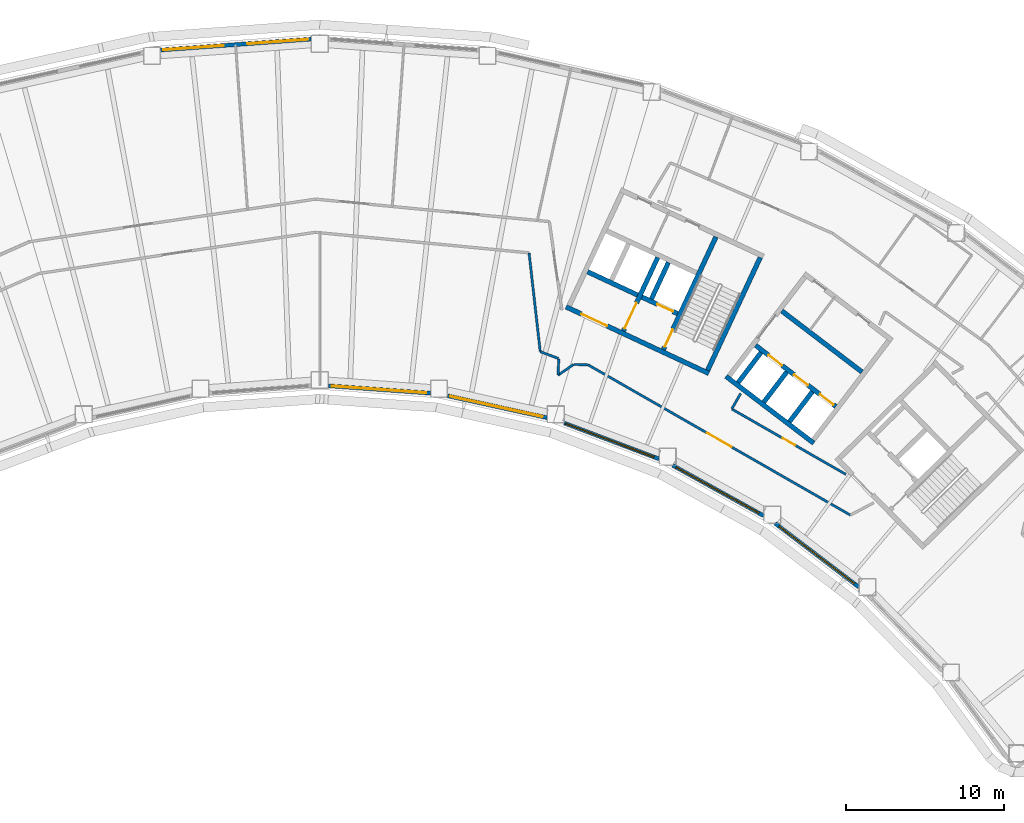
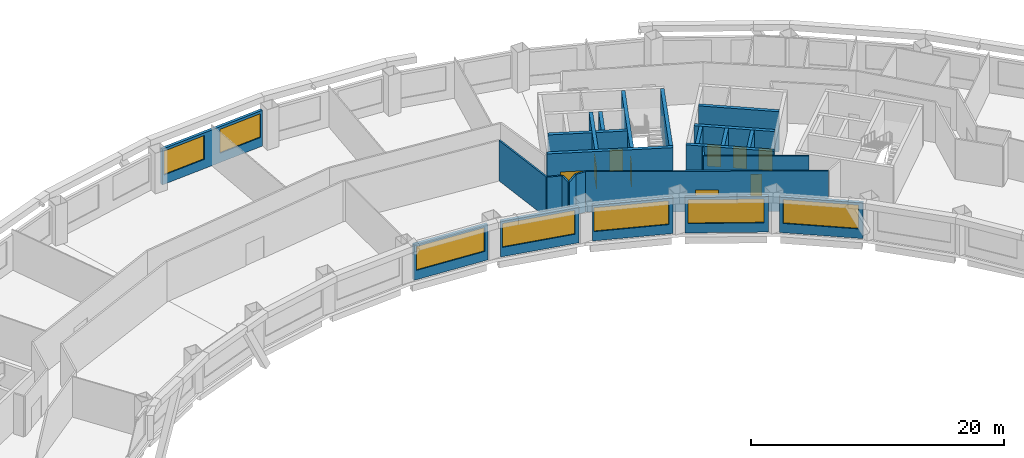
# One storey, part 5 of 13: 27 walls, 9 doors, 7 windows, 16 openings.
"""IFC4 building model written with IfcOpenShell, lengths in metres."""

from ifc_helpers import new_model, si_unit, direction, frame, frame_2d, origin, place, context, subcontext, project, spatial, rectangle, extrude, material, layer, layer_set, type_object, element, fill, save


model = new_model("IFC4")

# Units and contexts
model_context = context("Model", 3, precision=1e-05, world=origin(), true_north=direction((0.0, 1.0)))
body_context = subcontext(model_context, "Body", "Model", "MODEL_VIEW")
ifc_project = project(units=[si_unit("LENGTHUNIT", "METRE"), si_unit("AREAUNIT", "SQUARE_METRE"), si_unit("VOLUMEUNIT", "CUBIC_METRE"), si_unit("PLANEANGLEUNIT", "RADIAN"), si_unit("MASSUNIT", "GRAM", prefix="KILO")], contexts=[model_context])

# Site, building, storey
site_placement = place(None, origin())
site = spatial("IfcSite", under=ifc_project, at=site_placement, CompositionType="ELEMENT")
building_placement = place(site_placement, origin())
building = spatial("IfcBuilding", under=site, at=building_placement, Name="Tuul Gate Civic Tower", CompositionType="ELEMENT")
storey_placement = place(building_placement, frame((0.0, 0.0, 111.89990234375)))
storey = spatial("IfcBuildingStorey", under=building, at=storey_placement, Name="Level 25", CompositionType="ELEMENT", Elevation=111.89990234375)

# Wall, opening, door
ifc_material_1 = material(Name="Concrete C50/60", Category="concrete")
ifc_layer_1 = layer(ifc_material_1, 0.300048828125)
ifc_layer_set_1 = layer_set([ifc_layer_1], Name="Concrete C50/60")
wall_type_1 = type_object("IfcWallType", Name="Core wall C50/60", PredefinedType="SHEAR", material=ifc_layer_set_1)
wall_1_placement = place(storey_placement, frame((34.5283203125, -7.25, 0.0), z_axis=(0.0, 0.0, 1.0), x_axis=(-0.906310338845, 0.422612789327, 0.0)))
wall_1 = element("IfcWall", 1, at=wall_1_placement, inside=storey, type_object=wall_type_1, Name="Core wall", PredefinedType="SHEAR", context=body_context, shape_type="SweptSolid", body=[
    extrude(rectangle(XDim=9.999755859375, YDim=0.300048828125, at=frame_2d((5.0, 0.0))), origin(), (0.0, 0.0, 1.0), 3.900146484375),
])
opening_1_placement = place(wall_1_placement, frame((7.125, 0.0, 0.0)))
opening_1 = element("IfcOpeningElement", 2, at=opening_1_placement, cuts=wall_1, Name="Opening LB-E3-LOBBY-1", PredefinedType="OPENING", context=body_context, shape_type="SweptSolid", body=[
    extrude(rectangle(XDim=1.800048828125, YDim=2.10009765625, at=frame_2d((0.89990234375, 1.050048828125))), frame((0.0, 0.16015625, 0.0), z_axis=(0.0, -1.0, 0.0), x_axis=(1.0, 0.0, 0.0)), (0.0, 0.0, 1.0), 0.320068359375),
])
ifc_material_2 = material(Name="Steel", Category="steel")
door_type_1 = type_object("IfcDoorType", Name="Lobby door", OperationType="DOUBLE_DOOR_SINGLE_SWING", PredefinedType="DOOR", material=ifc_material_2)
door_1_placement = place(opening_1_placement, frame((1.800048828125, 0.0, 0.0), z_axis=(0.0, 0.0, 1.0), x_axis=(-1.0, 0.0, 0.0)))
door_1 = element("IfcDoor", 3, at=door_1_placement, inside=storey, type_object=door_type_1, Name="Lobby door E3-LOBBY", OperationType="DOUBLE_DOOR_SINGLE_SWING", OverallHeight=2.10009765625, OverallWidth=1.800048828125, PredefinedType="DOOR", context=body_context, shape_type="SweptSolid", body=[
    extrude(rectangle(XDim=1.800048828125, YDim=2.10009765625, at=frame_2d((0.900146484375, 1.050048828125))), frame((0.0, 0.02490234375, 0.0), z_axis=(0.0, -1.0, 0.0), x_axis=(1.0, 0.0, 0.0)), (0.0, 0.0, 1.0), 0.050048828125),
])
fill(opening_1, door_1)

wall_2_placement = place(storey_placement, frame((32.545654296875, -3.456787109375, 0.0), z_axis=(0.0, 0.0, 1.0), x_axis=(-0.906300357825, 0.42263419337, 0.0)))
wall_2 = element("IfcWall", 4, at=wall_2_placement, inside=storey, type_object=wall_type_1, Name="Core wall", PredefinedType="SHEAR", context=body_context, shape_type="SweptSolid", body=[
    extrude(rectangle(XDim=2.500244140625, YDim=0.300048828125, at=frame_2d((1.25, 0.0))), origin(), (0.0, 0.0, 1.0), 3.900146484375),
])
opening_2_placement = place(wall_2_placement, frame((0.324951171875, 0.0, 0.0)))
opening_2 = element("IfcOpeningElement", 5, at=opening_2_placement, cuts=wall_2, Name="Opening LD-FF-2", PredefinedType="OPENING", context=body_context, shape_type="SweptSolid", body=[
    extrude(rectangle(XDim=1.10009765625, YDim=2.10009765625, at=frame_2d((0.550048828125, 1.050048828125))), frame((0.0, 0.16015625, 0.0), z_axis=(0.0, -1.0, 0.0), x_axis=(1.0, 0.0, 0.0)), (0.0, 0.0, 1.0), 0.320068359375),
])
ifc_material_3 = material(Name="Stainless steel", Category="steel")
door_type_2 = type_object("IfcDoorType", Name="Landing door", OperationType="DOUBLE_DOOR_SLIDING", PredefinedType="DOOR", material=ifc_material_3)
door_2_placement = place(opening_2_placement, origin())
door_2 = element("IfcDoor", 6, at=door_2_placement, inside=storey, type_object=door_type_2, Name="Fire-fighting lift FF-2 landing door", OperationType="DOUBLE_DOOR_SLIDING", OverallHeight=2.10009765625, OverallWidth=1.10009765625, PredefinedType="DOOR", context=body_context, shape_type="SweptSolid", body=[
    extrude(rectangle(XDim=1.10009765625, YDim=2.10009765625, at=frame_2d((0.550048828125, 1.050048828125))), frame((0.0, 0.02490234375, 0.0), z_axis=(0.0, -1.0, 0.0), x_axis=(1.0, 0.0, 0.0)), (0.0, 0.0, 1.0), 0.050048828125),
])
fill(opening_2, door_2)

# Walls
wall_3_placement = place(storey_placement, frame((30.0078125, -2.2734375, 0.0), z_axis=(0.0, 0.0, 1.0), x_axis=(-0.90630071767, 0.422633421716, 0.0)))
element("IfcWall", 7, at=wall_3_placement, inside=storey, type_object=wall_type_1, Name="Core wall", PredefinedType="SHEAR", context=body_context, shape_type="SweptSolid", body=[
    extrude(rectangle(XDim=3.5, YDim=0.300048828125, at=frame_2d((1.75, 0.0))), origin(), (0.0, 0.0, 1.0), 3.900146484375),
])
wall_4_placement = place(storey_placement, frame((34.455810546875, -7.05078125, 0.0), z_axis=(0.0, 0.0, 1.0), x_axis=(0.422570768258, 0.906329932096, 0.0)))
element("IfcWall", 8, at=wall_4_placement, inside=storey, type_object=wall_type_1, Name="Core wall", PredefinedType="SHEAR", context=body_context, shape_type="SweptSolid", body=[
    extrude(rectangle(XDim=7.900146484375, YDim=0.300048828125, at=frame_2d((3.9501953125, 0.0))), origin(), (0.0, 0.0, 1.0), 3.900146484375),
])

# Wall, opening, door
wall_5_placement = place(storey_placement, frame((31.646240234375, -5.740478515625, 0.0), z_axis=(0.0, 0.0, 1.0), x_axis=(0.422582604137, 0.906324413596, 0.0)))
wall_5 = element("IfcWall", 9, at=wall_5_placement, inside=storey, type_object=wall_type_1, Name="Core wall", PredefinedType="SHEAR", context=body_context, shape_type="SweptSolid", body=[
    extrude(rectangle(XDim=7.89990234375, YDim=0.300048828125, at=frame_2d((3.949951171875, 0.0))), origin(), (0.0, 0.0, 1.0), 3.900146484375),
])
opening_3_placement = place(wall_5_placement, frame((0.199951171875, 0.0, 0.0)))
opening_3 = element("IfcOpeningElement", 10, at=opening_3_placement, cuts=wall_5, Name="Opening SD-ST-4", PredefinedType="OPENING", context=body_context, shape_type="SweptSolid", body=[
    extrude(rectangle(XDim=1.199951171875, YDim=2.10009765625, at=frame_2d((0.60009765625, 1.050048828125))), frame((0.0, 0.16015625, 0.0), z_axis=(0.0, -1.0, 0.0), x_axis=(1.0, 0.0, 0.0)), (0.0, 0.0, 1.0), 0.320068359375),
])
ifc_material_4 = material(Name="Steel", Category="steel")
door_type_3 = type_object("IfcDoorType", Name="Stair door", OperationType="NOTDEFINED", PredefinedType="DOOR", material=ifc_material_4)
door_3_placement = place(opening_3_placement, origin())
door_3 = element("IfcDoor", 11, at=door_3_placement, inside=storey, type_object=door_type_3, Name="Stair door ST-4", OperationType="SINGLE_SWING_LEFT", OverallHeight=2.10009765625, OverallWidth=1.199951171875, PredefinedType="DOOR", context=body_context, shape_type="SweptSolid", body=[
    extrude(rectangle(XDim=1.199951171875, YDim=2.10009765625, at=frame_2d((0.60009765625, 1.050048828125))), frame((0.0, 0.02490234375, 0.0), z_axis=(0.0, -1.0, 0.0), x_axis=(1.0, 0.0, 0.0)), (0.0, 0.0, 1.0), 0.050048828125),
])
fill(opening_3, door_3)

# Wall
wall_6_placement = place(storey_placement, frame((30.886962890625, -2.517822265625, 0.0), z_axis=(0.0, 0.0, 1.0), x_axis=(0.422612891016, 0.906310291427, 0.0)))
element("IfcWall", 12, at=wall_6_placement, inside=storey, type_object=wall_type_1, Name="Core wall", PredefinedType="SHEAR", context=body_context, shape_type="SweptSolid", body=[
    extrude(rectangle(XDim=2.550048828125, YDim=0.300048828125, at=frame_2d((1.27490234375, 0.0))), origin(), (0.0, 0.0, 1.0), 3.900146484375),
])

# Wall, opening, door
wall_7_placement = place(storey_placement, frame((29.108642578125, -4.557373046875, 0.0), z_axis=(0.0, 0.0, 1.0), x_axis=(0.422566235356, 0.90633204552, 0.0)))
wall_7 = element("IfcWall", 13, at=wall_7_placement, inside=storey, type_object=wall_type_1, Name="Core wall", PredefinedType="SHEAR", context=body_context, shape_type="SweptSolid", body=[
    extrude(rectangle(XDim=5.150146484375, YDim=0.300048828125, at=frame_2d((2.5751953125, 0.0))), origin(), (0.0, 0.0, 1.0), 3.900146484375),
])
opening_4_placement = place(wall_7_placement, frame((0.175048828125, 0.0, 0.0)))
opening_4 = element("IfcOpeningElement", 14, at=opening_4_placement, cuts=wall_7, Name="Opening LB-E3-FLOBBY-1", PredefinedType="OPENING", context=body_context, shape_type="SweptSolid", body=[
    extrude(rectangle(XDim=1.800048828125, YDim=2.10009765625, at=frame_2d((0.89990234375, 1.050048828125))), frame((0.0, 0.16015625, 0.0), z_axis=(0.0, -1.0, 0.0), x_axis=(1.0, 0.0, 0.0)), (0.0, 0.0, 1.0), 0.320068359375),
])
door_4_placement = place(opening_4_placement, frame((1.800048828125, 0.0, 0.0), z_axis=(0.0, 0.0, 1.0), x_axis=(-1.0, 0.0, 0.0)))
door_4 = element("IfcDoor", 15, at=door_4_placement, inside=storey, type_object=door_type_1, Name="Lobby door E3-FLOBBY", OperationType="DOUBLE_DOOR_SINGLE_SWING", OverallHeight=2.10009765625, OverallWidth=1.800048828125, PredefinedType="DOOR", context=body_context, shape_type="SweptSolid", body=[
    extrude(rectangle(XDim=1.800048828125, YDim=2.10009765625, at=frame_2d((0.900146484375, 1.050048828125))), frame((0.0, 0.02490234375, 0.0), z_axis=(0.0, -1.0, 0.0), x_axis=(1.0, 0.0, 0.0)), (0.0, 0.0, 1.0), 0.050048828125),
])
fill(opening_4, door_4)

# Walls
ifc_material_5 = material(Name="Gypsum board partition")
ifc_layer_2 = layer(ifc_material_5, 0.14990234375)
ifc_layer_set_2 = layer_set([ifc_layer_2], Name="Gypsum board partition")
wall_type_2 = type_object("IfcWallType", Name="Corridor wall P150", PredefinedType="PARTITIONING", material=ifc_layer_set_2)
wall_8_placement = place(storey_placement, frame((23.116943359375, 0.3876953125, 0.0), z_axis=(0.0, 0.0, 1.0), x_axis=(0.112509252059, -0.99365067715, 0.0)))
element("IfcWall", 16, at=wall_8_placement, inside=storey, type_object=wall_type_2, Name="p056", PredefinedType="PARTITIONING", context=body_context, shape_type="SweptSolid", body=[
    extrude(rectangle(XDim=6.29296875, YDim=0.14990234375, at=frame_2d((3.146484375, 0.0))), origin(), (0.0, 0.0, 1.0), 3.900146484375),
])
wall_9_placement = place(storey_placement, frame((23.824951171875, -5.865234375, 0.0), z_axis=(0.0, 0.0, 1.0), x_axis=(0.934726356021, -0.355368315077, 0.0)))
element("IfcWall", 17, at=wall_9_placement, inside=storey, type_object=wall_type_2, Name="p057", PredefinedType="PARTITIONING", context=body_context, shape_type="SweptSolid", body=[
    extrude(rectangle(XDim=1.246826171875, YDim=0.14990234375, at=frame_2d((0.62353515625, 0.0))), origin(), (0.0, 0.0, 1.0), 3.900146484375),
])
wall_10_placement = place(storey_placement, frame((25.965087890625, -6.678955078125, 0.0), z_axis=(0.0, 0.0, 1.0), x_axis=(0.999492350912, -0.031859699761, 0.0)))
element("IfcWall", 18, at=wall_10_placement, inside=storey, type_object=wall_type_2, Name="p058", PredefinedType="PARTITIONING", context=body_context, shape_type="SweptSolid", body=[
    extrude(rectangle(XDim=0.865966796875, YDim=0.14990234375, at=frame_2d((0.43310546875, 0.0))), origin(), (0.0, 0.0, 1.0), 3.900146484375),
])
wall_11_placement = place(storey_placement, frame((25.001953125, -6.335693359375, 0.0), z_axis=(0.0, 0.0, 1.0), x_axis=(-0.044621701994, -0.999003955804, 0.0)))
element("IfcWall", 19, at=wall_11_placement, inside=storey, type_object=wall_type_2, Name="p060", PredefinedType="PARTITIONING", context=body_context, shape_type="SweptSolid", body=[
    extrude(rectangle(XDim=1.028564453125, YDim=0.14990234375, at=frame_2d((0.51416015625, 0.0))), origin(), (0.0, 0.0, 1.0), 3.900146484375),
])
wall_12_placement = place(storey_placement, frame((24.9560546875, -7.36328125, 0.0), z_axis=(0.0, 0.0, 1.0), x_axis=(0.823681821094, 0.56705225297, 0.0)))
element("IfcWall", 20, at=wall_12_placement, inside=storey, type_object=wall_type_2, Name="p061", PredefinedType="PARTITIONING", context=body_context, shape_type="SweptSolid", body=[
    extrude(rectangle(XDim=1.207275390625, YDim=0.14990234375, at=frame_2d((0.603515625, 0.0))), origin(), (0.0, 0.0, 1.0), 3.900146484375),
])

# Wall, opening, door
wall_13_placement = place(storey_placement, frame((26.8544921875, -6.69921875, 0.0), z_axis=(0.0, 0.0, 1.0), x_axis=(0.867717634908, -0.497057447454, 0.0)))
wall_13 = element("IfcWall", 21, at=wall_13_placement, inside=storey, type_object=wall_type_2, Name="p063", PredefinedType="PARTITIONING", context=body_context, shape_type="SweptSolid", body=[
    extrude(rectangle(XDim=19.201416015625, YDim=0.14990234375, at=frame_2d((9.6005859375, 0.0))), origin(), (0.0, 0.0, 1.0), 3.900146484375),
])
opening_5_placement = place(wall_13_placement, frame((8.70068359375, 0.0, 0.0)))
opening_5 = element("IfcOpeningElement", 22, at=opening_5_placement, cuts=wall_13, Name="Opening H-D11", PredefinedType="OPENING", context=body_context, shape_type="SweptSolid", body=[
    extrude(rectangle(XDim=1.800048828125, YDim=2.10009765625, at=frame_2d((0.89990234375, 1.050048828125))), frame((0.0, 0.0849609375, 0.0), z_axis=(0.0, -1.0, 0.0), x_axis=(1.0, 0.0, 0.0)), (0.0, 0.0, 1.0), 0.169921875),
])
ifc_material_6 = material(Name="Timber door leaf, double", Category="wood")
door_type_4 = type_object("IfcDoorType", Name="Door D18", OperationType="DOUBLE_DOOR_SINGLE_SWING", PredefinedType="DOOR", material=ifc_material_6)
door_5_placement = place(opening_5_placement, frame((1.800048828125, 0.0, 0.0), z_axis=(0.0, 0.0, 1.0), x_axis=(-1.0, 0.0, 0.0)))
door_5 = element("IfcDoor", 23, at=door_5_placement, inside=storey, type_object=door_type_4, Name="Door H-D11", OperationType="DOUBLE_DOOR_SINGLE_SWING", OverallHeight=2.10009765625, OverallWidth=1.800048828125, PredefinedType="DOOR", context=body_context, shape_type="SweptSolid", body=[
    extrude(rectangle(XDim=1.800048828125, YDim=2.10009765625, at=frame_2d((0.900146484375, 1.050048828125))), frame((0.0, 0.02490234375, 0.0), z_axis=(0.0, -1.0, 0.0), x_axis=(1.0, 0.0, 0.0)), (0.0, 0.0, 1.0), 0.050048828125),
])
fill(opening_5, door_5)

wall_14_placement = place(storey_placement, frame((36.00341796875, -9.51953125, 0.0), z_axis=(0.0, 0.0, 1.0), x_axis=(0.867697587438, -0.497092442866, 0.0)))
wall_14 = element("IfcWall", 24, at=wall_14_placement, inside=storey, type_object=wall_type_2, Name="p074", PredefinedType="PARTITIONING", context=body_context, shape_type="SweptSolid", body=[
    extrude(rectangle(XDim=8.32470703125, YDim=0.14990234375, at=frame_2d((4.162353515625, 0.0))), origin(), (0.0, 0.0, 1.0), 3.900146484375),
])
opening_6_placement = place(wall_14_placement, frame((3.71240234375, 0.0, 0.0)))
opening_6 = element("IfcOpeningElement", 25, at=opening_6_placement, cuts=wall_14, Name="Opening H-D14", PredefinedType="OPENING", context=body_context, shape_type="SweptSolid", body=[
    extrude(rectangle(XDim=0.89990234375, YDim=2.10009765625, at=frame_2d((0.449951171875, 1.050048828125))), frame((0.0, 0.0849609375, 0.0), z_axis=(0.0, -1.0, 0.0), x_axis=(1.0, 0.0, 0.0)), (0.0, 0.0, 1.0), 0.169921875),
])
ifc_material_7 = material(Name="Timber door leaf", Category="wood")
door_type_5 = type_object("IfcDoorType", Name="Door D09", OperationType="NOTDEFINED", PredefinedType="DOOR", material=ifc_material_7)
door_6_placement = place(opening_6_placement, frame((0.89990234375, 0.0, 0.0), z_axis=(0.0, 0.0, 1.0), x_axis=(-1.0, 0.0, 0.0)))
door_6 = element("IfcDoor", 26, at=door_6_placement, inside=storey, type_object=door_type_5, Name="Door H-D14", OperationType="SINGLE_SWING_LEFT", OverallHeight=2.10009765625, OverallWidth=0.89990234375, PredefinedType="DOOR", context=body_context, shape_type="SweptSolid", body=[
    extrude(rectangle(XDim=0.89990234375, YDim=2.10009765625, at=frame_2d((0.449951171875, 1.050048828125))), frame((0.0, 0.02490234375, 0.0), z_axis=(0.0, -1.0, 0.0), x_axis=(1.0, 0.0, 0.0)), (0.0, 0.0, 1.0), 0.050048828125),
])
fill(opening_6, door_6)

# Wall
wall_15_placement = place(storey_placement, frame((35.995849609375, -9.4921875, 0.0), z_axis=(0.0, 0.0, 1.0), x_axis=(0.49712568434, 0.867678542992, 0.0)))
element("IfcWall", 27, at=wall_15_placement, inside=storey, type_object=wall_type_2, Name="p075", PredefinedType="PARTITIONING", context=body_context, shape_type="SweptSolid", body=[
    extrude(rectangle(XDim=1.11865234375, YDim=0.14990234375, at=frame_2d((0.559326171875, 0.0))), origin(), (0.0, 0.0, 1.0), 3.900146484375),
])

# Wall, openings, windows
ifc_material_8 = material(Name="Precast concrete C40/50", Category="concrete")
ifc_layer_3 = layer(ifc_material_8, 0.25)
ifc_layer_set_3 = layer_set([ifc_layer_3], Name="Precast concrete C40/50")
wall_type_3 = type_object("IfcWallType", Name="External wall", PredefinedType="STANDARD", material=ifc_layer_set_3)
wall_16_placement = place(storey_placement, frame((9.279052734375, 13.972900390625, 0.0), z_axis=(0.0, 0.0, 1.0), x_axis=(-0.99738031898, -0.072336016692, 0.0)))
wall_16 = element("IfcWall", 28, at=wall_16_placement, inside=storey, type_object=wall_type_3, Name="External wall", PredefinedType="STANDARD", context=body_context, shape_type="SweptSolid", body=[
    extrude(rectangle(XDim=9.5751953125, YDim=0.25, at=frame_2d((4.78759765625, 0.0))), origin(), (0.0, 0.0, 1.0), 3.4501953125),
])
opening_7_placement = place(wall_16_placement, frame((0.2001953125, 0.0, 0.89990234375)))
opening_7 = element("IfcOpeningElement", 29, at=opening_7_placement, cuts=wall_16, Name="Opening W22", PredefinedType="OPENING", context=body_context, shape_type="SweptSolid", body=[
    extrude(rectangle(XDim=3.85009765625, YDim=2.300048828125, at=frame_2d((1.925048828125, 1.14990234375))), frame((0.0, 0.135009765625, 0.0), z_axis=(0.0, -1.0, 0.0), x_axis=(1.0, 0.0, 0.0)), (0.0, 0.0, 1.0), 0.27001953125),
])
opening_8_placement = place(wall_16_placement, frame((5.57177734375, 0.0, 0.89990234375)))
opening_8 = element("IfcOpeningElement", 30, at=opening_8_placement, cuts=wall_16, Name="Opening W22", PredefinedType="OPENING", context=body_context, shape_type="SweptSolid", body=[
    extrude(rectangle(XDim=3.85009765625, YDim=2.300048828125, at=frame_2d((1.925048828125, 1.14990234375))), frame((0.0, 0.135009765625, 0.0), z_axis=(0.0, -1.0, 0.0), x_axis=(1.0, 0.0, 0.0)), (0.0, 0.0, 1.0), 0.27001953125),
])
ifc_material_9 = material(Name="Glass", Category="glass")
window_type_1 = type_object("IfcWindowType", Name="Window W22 3850 x 2300", PartitioningType="SINGLE_PANEL", PredefinedType="WINDOW", material=ifc_material_9)
window_1_placement = place(opening_7_placement, origin())
window_1 = element("IfcWindow", 31, at=window_1_placement, inside=storey, type_object=window_type_1, Name="Window", OverallHeight=2.300048828125, OverallWidth=3.85009765625, PartitioningType="SINGLE_PANEL", PredefinedType="WINDOW", context=body_context, shape_type="SweptSolid", body=[
    extrude(rectangle(XDim=3.85009765625, YDim=2.300048828125, at=frame_2d((1.925048828125, 1.14990234375))), frame((0.0, 0.030029296875, 0.0), z_axis=(0.0, -1.0, 0.0), x_axis=(1.0, 0.0, 0.0)), (0.0, 0.0, 1.0), 0.06005859375),
])
fill(opening_7, window_1)
window_2_placement = place(opening_8_placement, origin())
window_2 = element("IfcWindow", 32, at=window_2_placement, inside=storey, type_object=window_type_1, Name="Window", OverallHeight=2.300048828125, OverallWidth=3.85009765625, PartitioningType="SINGLE_PANEL", PredefinedType="WINDOW", context=body_context, shape_type="SweptSolid", body=[
    extrude(rectangle(XDim=3.85009765625, YDim=2.300048828125, at=frame_2d((1.925048828125, 1.14990234375))), frame((0.0, 0.030029296875, 0.0), z_axis=(0.0, -1.0, 0.0), x_axis=(1.0, 0.0, 0.0)), (0.0, 0.0, 1.0), 0.06005859375),
])
fill(opening_8, window_2)

# Wall, opening, window
wall_17_placement = place(storey_placement, frame((10.37890625, -8.035400390625, 0.0), z_axis=(0.0, 0.0, 1.0), x_axis=(0.997392965156, -0.072161437464, 0.0)))
wall_17 = element("IfcWall", 33, at=wall_17_placement, inside=storey, type_object=wall_type_3, Name="External wall", PredefinedType="STANDARD", context=body_context, shape_type="SweptSolid", body=[
    extrude(rectangle(XDim=6.489013671875, YDim=0.25, at=frame_2d((3.24462890625, 0.0))), origin(), (0.0, 0.0, 1.0), 3.4501953125),
])
opening_9_placement = place(wall_17_placement, frame((0.220947265625, 0.0, 0.89990234375)))
opening_9 = element("IfcOpeningElement", 34, at=opening_9_placement, cuts=wall_17, Name="Opening W26", PredefinedType="OPENING", context=body_context, shape_type="SweptSolid", body=[
    extrude(rectangle(XDim=6.0, YDim=2.300048828125, at=frame_2d((3.0, 1.14990234375))), frame((0.0, 0.135009765625, 0.0), z_axis=(0.0, -1.0, 0.0), x_axis=(1.0, 0.0, 0.0)), (0.0, 0.0, 1.0), 0.27001953125),
])
ifc_material_10 = material(Name="Glass", Category="glass")
window_type_2 = type_object("IfcWindowType", Name="Window W26 6000 x 2300", PartitioningType="SINGLE_PANEL", PredefinedType="WINDOW", material=ifc_material_10)
window_3_placement = place(opening_9_placement, origin())
window_3 = element("IfcWindow", 35, at=window_3_placement, inside=storey, type_object=window_type_2, Name="Window", OverallHeight=2.300048828125, OverallWidth=6.0, PartitioningType="SINGLE_PANEL", PredefinedType="WINDOW", context=body_context, shape_type="SweptSolid", body=[
    extrude(rectangle(XDim=6.0, YDim=2.300048828125, at=frame_2d((3.0, 1.14990234375))), frame((0.0, 0.030029296875, 0.0), z_axis=(0.0, -1.0, 0.0), x_axis=(1.0, 0.0, 0.0)), (0.0, 0.0, 1.0), 0.06005859375),
])
fill(opening_9, window_3)

wall_18_placement = place(storey_placement, frame((17.950927734375, -8.671630859375, 0.0), z_axis=(0.0, 0.0, 1.0), x_axis=(0.976562304854, -0.215234905949, 0.0)))
wall_18 = element("IfcWall", 36, at=wall_18_placement, inside=storey, type_object=wall_type_3, Name="External wall", PredefinedType="STANDARD", context=body_context, shape_type="SweptSolid", body=[
    extrude(rectangle(XDim=6.465576171875, YDim=0.25, at=frame_2d((3.23291015625, 0.0))), origin(), (0.0, 0.0, 1.0), 3.4501953125),
])
opening_10_placement = place(wall_18_placement, frame((0.160888671875, 0.0, 0.89990234375)))
opening_10 = element("IfcOpeningElement", 37, at=opening_10_placement, cuts=wall_18, Name="Opening W26", PredefinedType="OPENING", context=body_context, shape_type="SweptSolid", body=[
    extrude(rectangle(XDim=6.0, YDim=2.300048828125, at=frame_2d((3.0, 1.14990234375))), frame((0.0, 0.135009765625, 0.0), z_axis=(0.0, -1.0, 0.0), x_axis=(1.0, 0.0, 0.0)), (0.0, 0.0, 1.0), 0.27001953125),
])
window_4_placement = place(opening_10_placement, origin())
window_4 = element("IfcWindow", 38, at=window_4_placement, inside=storey, type_object=window_type_2, Name="Window", OverallHeight=2.300048828125, OverallWidth=6.0, PartitioningType="SINGLE_PANEL", PredefinedType="WINDOW", context=body_context, shape_type="SweptSolid", body=[
    extrude(rectangle(XDim=6.0, YDim=2.300048828125, at=frame_2d((3.0, 1.14990234375))), frame((0.0, 0.030029296875, 0.0), z_axis=(0.0, -1.0, 0.0), x_axis=(1.0, 0.0, 0.0)), (0.0, 0.0, 1.0), 0.06005859375),
])
fill(opening_10, window_4)

wall_19_placement = place(storey_placement, frame((25.3515625, -10.402099609375, 0.0), z_axis=(0.0, 0.0, 1.0), x_axis=(0.93537217804, -0.353664938252, 0.0)))
wall_19 = element("IfcWall", 39, at=wall_19_placement, inside=storey, type_object=wall_type_3, Name="External wall", PredefinedType="STANDARD", context=body_context, shape_type="SweptSolid", body=[
    extrude(rectangle(XDim=6.428955078125, YDim=0.25, at=frame_2d((3.21435546875, 0.0))), origin(), (0.0, 0.0, 1.0), 3.4501953125),
])
opening_11_placement = place(wall_19_placement, frame((0.09912109375, 0.0, 0.89990234375)))
opening_11 = element("IfcOpeningElement", 40, at=opening_11_placement, cuts=wall_19, Name="Opening W26", PredefinedType="OPENING", context=body_context, shape_type="SweptSolid", body=[
    extrude(rectangle(XDim=6.0, YDim=2.300048828125, at=frame_2d((3.0, 1.14990234375))), frame((0.0, 0.135009765625, 0.0), z_axis=(0.0, -1.0, 0.0), x_axis=(1.0, 0.0, 0.0)), (0.0, 0.0, 1.0), 0.27001953125),
])
window_5_placement = place(opening_11_placement, origin())
window_5 = element("IfcWindow", 41, at=window_5_placement, inside=storey, type_object=window_type_2, Name="Window", OverallHeight=2.300048828125, OverallWidth=6.0, PartitioningType="SINGLE_PANEL", PredefinedType="WINDOW", context=body_context, shape_type="SweptSolid", body=[
    extrude(rectangle(XDim=6.0, YDim=2.300048828125, at=frame_2d((3.0, 1.14990234375))), frame((0.0, 0.030029296875, 0.0), z_axis=(0.0, -1.0, 0.0), x_axis=(1.0, 0.0, 0.0)), (0.0, 0.0, 1.0), 0.06005859375),
])
fill(opening_11, window_5)

wall_20_placement = place(storey_placement, frame((32.23828125, -13.0869140625, 0.0), z_axis=(0.0, 0.0, 1.0), x_axis=(0.87460054833, -0.484844182042, 0.0)))
wall_20 = element("IfcWall", 42, at=wall_20_placement, inside=storey, type_object=wall_type_3, Name="External wall", PredefinedType="STANDARD", context=body_context, shape_type="SweptSolid", body=[
    extrude(rectangle(XDim=6.593505859375, YDim=0.25, at=frame_2d((3.296875, 0.0))), origin(), (0.0, 0.0, 1.0), 3.4501953125),
])
opening_12_placement = place(wall_20_placement, frame((0.2470703125, 0.0, 0.89990234375)))
opening_12 = element("IfcOpeningElement", 43, at=opening_12_placement, cuts=wall_20, Name="Opening W26", PredefinedType="OPENING", context=body_context, shape_type="SweptSolid", body=[
    extrude(rectangle(XDim=6.0, YDim=2.300048828125, at=frame_2d((3.0, 1.14990234375))), frame((0.0, 0.135009765625, 0.0), z_axis=(0.0, -1.0, 0.0), x_axis=(1.0, 0.0, 0.0)), (0.0, 0.0, 1.0), 0.27001953125),
])
window_6_placement = place(opening_12_placement, origin())
window_6 = element("IfcWindow", 44, at=window_6_placement, inside=storey, type_object=window_type_2, Name="Window", OverallHeight=2.300048828125, OverallWidth=6.0, PartitioningType="SINGLE_PANEL", PredefinedType="WINDOW", context=body_context, shape_type="SweptSolid", body=[
    extrude(rectangle(XDim=6.0, YDim=2.300048828125, at=frame_2d((3.0, 1.14990234375))), frame((0.0, 0.030029296875, 0.0), z_axis=(0.0, -1.0, 0.0), x_axis=(1.0, 0.0, 0.0)), (0.0, 0.0, 1.0), 0.06005859375),
])
fill(opening_12, window_6)

wall_21_placement = place(storey_placement, frame((38.74267578125, -16.76806640625, 0.0), z_axis=(0.0, 0.0, 1.0), x_axis=(0.795574625886, -0.605855605442, 0.0)))
wall_21 = element("IfcWall", 45, at=wall_21_placement, inside=storey, type_object=wall_type_3, Name="External wall", PredefinedType="STANDARD", context=body_context, shape_type="SweptSolid", body=[
    extrude(rectangle(XDim=6.666015625, YDim=0.25, at=frame_2d((3.3330078125, 0.0))), origin(), (0.0, 0.0, 1.0), 3.4501953125),
])
opening_13_placement = place(wall_21_placement, frame((0.313232421875, 0.0, 0.89990234375)))
opening_13 = element("IfcOpeningElement", 46, at=opening_13_placement, cuts=wall_21, Name="Opening W26", PredefinedType="OPENING", context=body_context, shape_type="SweptSolid", body=[
    extrude(rectangle(XDim=6.0, YDim=2.300048828125, at=frame_2d((3.0, 1.14990234375))), frame((0.0, 0.135009765625, 0.0), z_axis=(0.0, -1.0, 0.0), x_axis=(1.0, 0.0, 0.0)), (0.0, 0.0, 1.0), 0.27001953125),
])
window_7_placement = place(opening_13_placement, origin())
window_7 = element("IfcWindow", 47, at=window_7_placement, inside=storey, type_object=window_type_2, Name="Window", OverallHeight=2.300048828125, OverallWidth=6.0, PartitioningType="SINGLE_PANEL", PredefinedType="WINDOW", context=body_context, shape_type="SweptSolid", body=[
    extrude(rectangle(XDim=6.0, YDim=2.300048828125, at=frame_2d((3.0, 1.14990234375))), frame((0.0, 0.030029296875, 0.0), z_axis=(0.0, -1.0, 0.0), x_axis=(1.0, 0.0, 0.0)), (0.0, 0.0, 1.0), 0.06005859375),
])
fill(opening_13, window_7)

# Wall
ifc_material_11 = material(Name="Concrete C40/50", Category="concrete")
ifc_layer_4 = layer(ifc_material_11, 0.300048828125)
ifc_layer_set_4 = layer_set([ifc_layer_4], Name="Concrete C40/50")
wall_type_4 = type_object("IfcWallType", Name="Lift shaft wall C40/50", PredefinedType="STANDARD", material=ifc_layer_set_4)
wall_22_placement = place(storey_placement, frame((41.19189453125, -11.677734375, 0.0), z_axis=(0.0, 0.0, 1.0), x_axis=(-0.795563000331, 0.605870871147, 0.0)))
element("IfcWall", 48, at=wall_22_placement, inside=storey, type_object=wall_type_4, Name="Shaft wall", PredefinedType="STANDARD", context=body_context, shape_type="SweptSolid", body=[
    extrude(rectangle(XDim=7.000244140625, YDim=0.300048828125, at=frame_2d((3.5, 0.0))), origin(), (0.0, 0.0, 1.0), 3.900146484375),
])

# Wall, openings, doors
wall_23_placement = place(storey_placement, frame((42.5888671875, -9.34765625, 0.0), z_axis=(0.0, 0.0, 1.0), x_axis=(-0.795584062101, 0.605843214149, 0.0)))
wall_23 = element("IfcWall", 49, at=wall_23_placement, inside=storey, type_object=wall_type_4, Name="Shaft wall", PredefinedType="STANDARD", context=body_context, shape_type="SweptSolid", body=[
    extrude(rectangle(XDim=6.400146484375, YDim=0.300048828125, at=frame_2d((3.2001953125, 0.0))), origin(), (0.0, 0.0, 1.0), 3.900146484375),
])
opening_14_placement = place(wall_23_placement, frame((0.175048828125, 0.0, 0.0)))
opening_14 = element("IfcOpeningElement", 50, at=opening_14_placement, cuts=wall_23, Name="Opening LD-L1", PredefinedType="OPENING", context=body_context, shape_type="SweptSolid", body=[
    extrude(rectangle(XDim=1.10009765625, YDim=2.10009765625, at=frame_2d((0.550048828125, 1.050048828125))), frame((0.0, 0.16015625, 0.0), z_axis=(0.0, -1.0, 0.0), x_axis=(1.0, 0.0, 0.0)), (0.0, 0.0, 1.0), 0.320068359375),
])
opening_15_placement = place(wall_23_placement, frame((2.22509765625, 0.0, 0.0)))
opening_15 = element("IfcOpeningElement", 51, at=opening_15_placement, cuts=wall_23, Name="Opening LD-L2", PredefinedType="OPENING", context=body_context, shape_type="SweptSolid", body=[
    extrude(rectangle(XDim=1.10009765625, YDim=2.10009765625, at=frame_2d((0.550048828125, 1.050048828125))), frame((0.0, 0.16015625, 0.0), z_axis=(0.0, -1.0, 0.0), x_axis=(1.0, 0.0, 0.0)), (0.0, 0.0, 1.0), 0.320068359375),
])
opening_16_placement = place(wall_23_placement, frame((4.27490234375, 0.0, 0.0)))
opening_16 = element("IfcOpeningElement", 52, at=opening_16_placement, cuts=wall_23, Name="Opening LD-L3", PredefinedType="OPENING", context=body_context, shape_type="SweptSolid", body=[
    extrude(rectangle(XDim=1.10009765625, YDim=2.10009765625, at=frame_2d((0.550048828125, 1.050048828125))), frame((0.0, 0.16015625, 0.0), z_axis=(0.0, -1.0, 0.0), x_axis=(1.0, 0.0, 0.0)), (0.0, 0.0, 1.0), 0.320068359375),
])
door_7_placement = place(opening_14_placement, origin())
door_7 = element("IfcDoor", 53, at=door_7_placement, inside=storey, type_object=door_type_2, Name="Low-rise lift L1 landing door", OperationType="DOUBLE_DOOR_SLIDING", OverallHeight=2.10009765625, OverallWidth=1.10009765625, PredefinedType="DOOR", context=body_context, shape_type="SweptSolid", body=[
    extrude(rectangle(XDim=1.10009765625, YDim=2.10009765625, at=frame_2d((0.550048828125, 1.050048828125))), frame((0.0, 0.02490234375, 0.0), z_axis=(0.0, -1.0, 0.0), x_axis=(1.0, 0.0, 0.0)), (0.0, 0.0, 1.0), 0.050048828125),
])
fill(opening_14, door_7)
door_8_placement = place(opening_15_placement, origin())
door_8 = element("IfcDoor", 54, at=door_8_placement, inside=storey, type_object=door_type_2, Name="Low-rise lift L2 landing door", OperationType="DOUBLE_DOOR_SLIDING", OverallHeight=2.10009765625, OverallWidth=1.10009765625, PredefinedType="DOOR", context=body_context, shape_type="SweptSolid", body=[
    extrude(rectangle(XDim=1.10009765625, YDim=2.10009765625, at=frame_2d((0.550048828125, 1.050048828125))), frame((0.0, 0.02490234375, 0.0), z_axis=(0.0, -1.0, 0.0), x_axis=(1.0, 0.0, 0.0)), (0.0, 0.0, 1.0), 0.050048828125),
])
fill(opening_15, door_8)
door_9_placement = place(opening_16_placement, origin())
door_9 = element("IfcDoor", 55, at=door_9_placement, inside=storey, type_object=door_type_2, Name="Low-rise lift L3 landing door", OperationType="DOUBLE_DOOR_SLIDING", OverallHeight=2.10009765625, OverallWidth=1.10009765625, PredefinedType="DOOR", context=body_context, shape_type="SweptSolid", body=[
    extrude(rectangle(XDim=1.10009765625, YDim=2.10009765625, at=frame_2d((0.550048828125, 1.050048828125))), frame((0.0, 0.02490234375, 0.0), z_axis=(0.0, -1.0, 0.0), x_axis=(1.0, 0.0, 0.0)), (0.0, 0.0, 1.0), 0.050048828125),
])
fill(opening_16, door_9)

# Walls
wall_24_placement = place(storey_placement, frame((44.254638671875, -7.15966796875, 0.0), z_axis=(0.0, 0.0, 1.0), x_axis=(-0.795565675562, 0.605867358312, 0.0)))
element("IfcWall", 56, at=wall_24_placement, inside=storey, type_object=wall_type_4, Name="Shaft wall", PredefinedType="STANDARD", context=body_context, shape_type="SweptSolid", body=[
    extrude(rectangle(XDim=6.400146484375, YDim=0.300048828125, at=frame_2d((3.2001953125, 0.0))), origin(), (0.0, 0.0, 1.0), 3.900146484375),
])
wall_25_placement = place(storey_placement, frame((39.65185546875, -10.31640625, 0.0), z_axis=(0.0, 0.0, 1.0), x_axis=(0.605745892068, 0.79565816419, 0.0)))
element("IfcWall", 57, at=wall_25_placement, inside=storey, type_object=wall_type_4, Name="Shaft wall", PredefinedType="STANDARD", context=body_context, shape_type="SweptSolid", body=[
    extrude(rectangle(XDim=2.400146484375, YDim=0.300048828125, at=frame_2d((1.2001953125, 0.0))), origin(), (0.0, 0.0, 1.0), 3.900146484375),
])
wall_26_placement = place(storey_placement, frame((38.02099609375, -9.07421875, 0.0), z_axis=(0.0, 0.0, 1.0), x_axis=(0.605730519254, 0.795669867498, 0.0)))
element("IfcWall", 58, at=wall_26_placement, inside=storey, type_object=wall_type_4, Name="Shaft wall", PredefinedType="STANDARD", context=body_context, shape_type="SweptSolid", body=[
    extrude(rectangle(XDim=2.399658203125, YDim=0.300048828125, at=frame_2d((1.19970703125, 0.0))), origin(), (0.0, 0.0, 1.0), 3.900146484375),
])
wall_27_placement = place(storey_placement, frame((36.389892578125, -7.832275390625, 0.0), z_axis=(0.0, 0.0, 1.0), x_axis=(0.605745892068, 0.79565816419, 0.0)))
element("IfcWall", 59, at=wall_27_placement, inside=storey, type_object=wall_type_4, Name="Shaft wall", PredefinedType="STANDARD", context=body_context, shape_type="SweptSolid", body=[
    extrude(rectangle(XDim=2.400146484375, YDim=0.300048828125, at=frame_2d((1.2001953125, 0.0))), origin(), (0.0, 0.0, 1.0), 3.900146484375),
])

save(model, "model.ifc")
